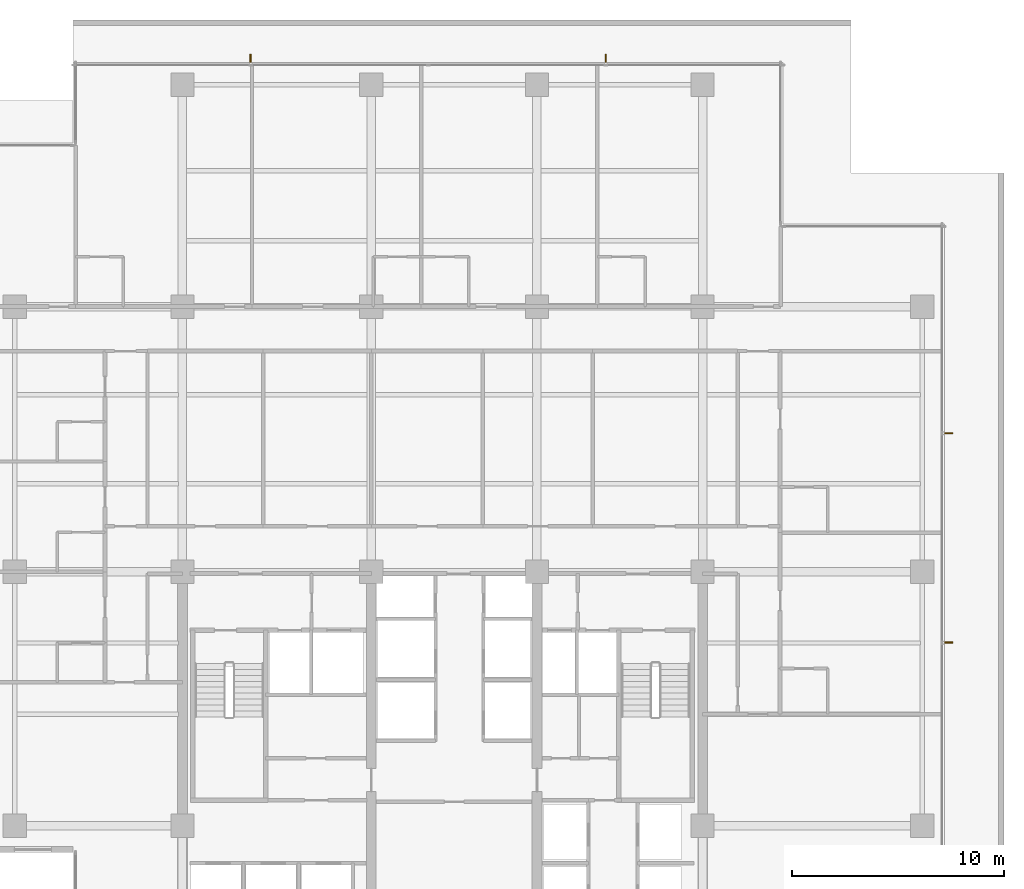
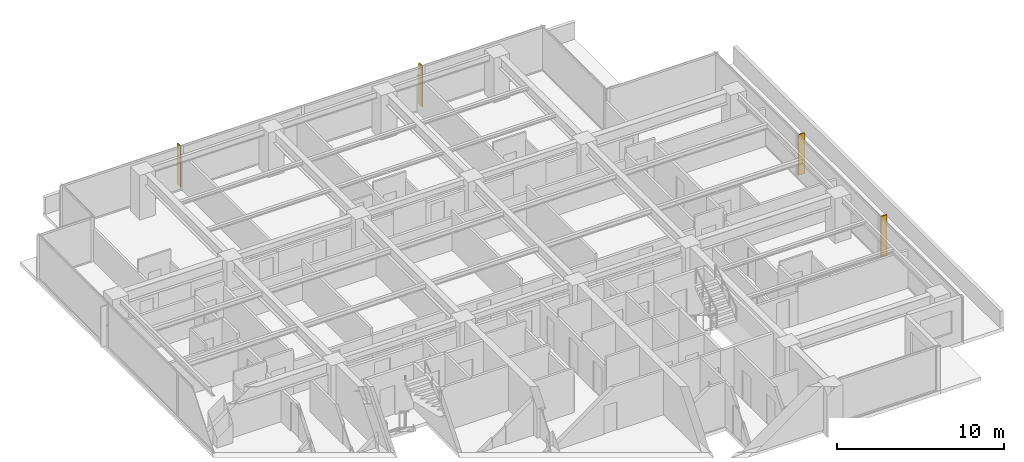
# One storey, part 16 of 16: 4 shading devices.
"""IFC4 building model written with IfcOpenShell, lengths in metres."""

from ifc_helpers import new_model, si_unit, direction, frame, origin, place, context, subcontext, project, spatial, polyline, outline, extrude, material, layer, layer_set, type_object, element, save


model = new_model("IFC4")

# Units and contexts
model_context = context("Model", 3, precision=1e-05, world=origin(), true_north=direction((0.0, 1.0)))
body_context = subcontext(model_context, "Body", "Model", "MODEL_VIEW")
ifc_project = project(units=[si_unit("LENGTHUNIT", "METRE"), si_unit("AREAUNIT", "SQUARE_METRE"), si_unit("VOLUMEUNIT", "CUBIC_METRE"), si_unit("PLANEANGLEUNIT", "RADIAN"), si_unit("MASSUNIT", "GRAM", prefix="KILO")], contexts=[model_context])

# Site, building, storey
site_placement = place(None, origin())
site = spatial("IfcSite", under=ifc_project, at=site_placement, CompositionType="ELEMENT")
building_placement = place(site_placement, origin())
building = spatial("IfcBuilding", under=site, at=building_placement, Name="Qalmaran Belvedere Hotel", CompositionType="ELEMENT")
storey_placement = place(building_placement, frame((0.0, 0.0, 138.60009765625)))
storey = spatial("IfcBuildingStorey", under=building, at=storey_placement, Name="L34", CompositionType="ELEMENT", Elevation=138.60009765625)

# Shading devices
ifc_material = material(Name="Anodised Bronze Aluminium", Category="aluminium")
ifc_layer = layer(ifc_material, 0.06494140625, Name="Anodised Bronze Aluminium")
ifc_layer_set = layer_set([ifc_layer], Name="Anodised Bronze Aluminium")
shading_device_type = type_object("IfcShadingDeviceType", Name="FIN-BRNZ-420", PredefinedType="USERDEFINED", material=ifc_layer_set)
shading_device_1_placement = place(storey_placement, frame((0.0, 0.0, 0.159912109375)))
element("IfcShadingDevice", 1, at=shading_device_1_placement, inside=storey, type_object=shading_device_type, Name="L34 Bronze Fin 1", ObjectType="FIN", PredefinedType="USERDEFINED", context=body_context, shape_type="SweptSolid", body=[
    extrude(outline(polyline([(56.169921875, 17.13427734375), (56.590087890625, 17.13427734375), (56.590087890625, 17.19921875), (56.169921875, 17.19921875), (56.169921875, 17.13427734375)])), origin(), (0.0, 0.0, 1.0), 2.969970703125),
])
shading_device_2_placement = place(storey_placement, frame((0.0, 0.0, 0.159912109375)))
element("IfcShadingDevice", 2, at=shading_device_2_placement, inside=storey, type_object=shading_device_type, Name="L34 Bronze Fin 2", ObjectType="FIN", PredefinedType="USERDEFINED", context=body_context, shape_type="SweptSolid", body=[
    extrude(outline(polyline([(56.169921875, 27.000732421875), (56.590087890625, 27.000732421875), (56.590087890625, 27.06591796875), (56.169921875, 27.06591796875), (56.169921875, 27.000732421875)])), origin(), (0.0, 0.0, 1.0), 2.969970703125),
])
shading_device_3_placement = place(storey_placement, frame((0.0, 0.0, 0.159912109375)))
element("IfcShadingDevice", 3, at=shading_device_3_placement, inside=storey, type_object=shading_device_type, Name="L34 Bronze Fin 1", ObjectType="FIN", PredefinedType="USERDEFINED", context=body_context, shape_type="SweptSolid", body=[
    extrude(outline(polyline([(40.27001953125, 44.469970703125), (40.27001953125, 44.889892578125), (40.205078125, 44.889892578125), (40.205078125, 44.469970703125), (40.27001953125, 44.469970703125)])), origin(), (0.0, 0.0, 1.0), 2.969970703125),
])
shading_device_4_placement = place(storey_placement, frame((0.0, 0.0, 0.159912109375)))
element("IfcShadingDevice", 4, at=shading_device_4_placement, inside=storey, type_object=shading_device_type, Name="L34 Bronze Fin 3", ObjectType="FIN", PredefinedType="USERDEFINED", context=body_context, shape_type="SweptSolid", body=[
    extrude(outline(polyline([(23.544921875, 44.469970703125), (23.544921875, 44.889892578125), (23.47998046875, 44.889892578125), (23.47998046875, 44.469970703125), (23.544921875, 44.469970703125)])), origin(), (0.0, 0.0, 1.0), 2.969970703125),
])

save(model, "model.ifc")
